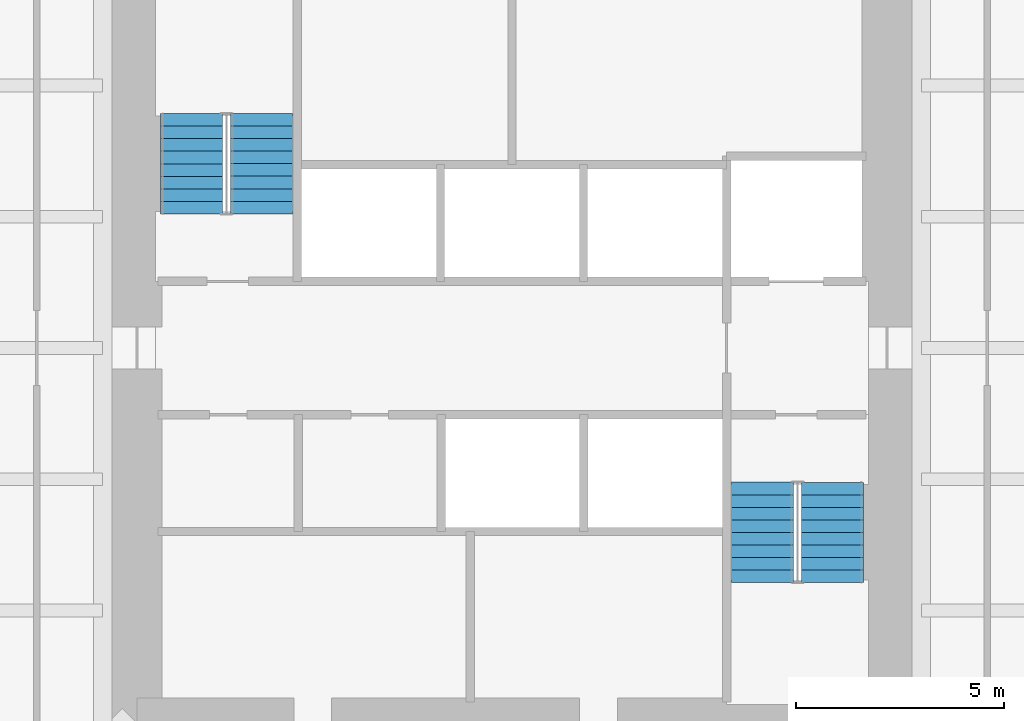
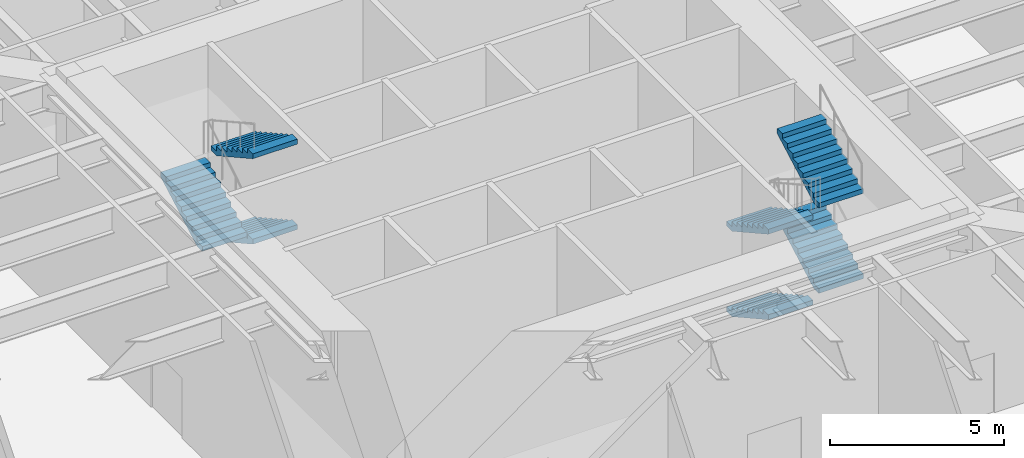
# One storey, part 5 of 6: 7 stair flights, 2 elements without a shape of their own.
"""IFC4 building model written with IfcOpenShell, lengths in metres."""

from ifc_helpers import new_model, si_unit, direction, frame, origin, place, context, subcontext, project, spatial, polyline, outline, extrude, material, constituent, constituent_set, type_object, element, aggregate, save


model = new_model("IFC4")

# Units and contexts
model_context = context("Model", 3, precision=1e-05, world=origin(), true_north=direction((0.0, 1.0)))
body_context = subcontext(model_context, "Body", "Model", "MODEL_VIEW")
ifc_project = project(units=[si_unit("LENGTHUNIT", "METRE"), si_unit("AREAUNIT", "SQUARE_METRE"), si_unit("VOLUMEUNIT", "CUBIC_METRE"), si_unit("PLANEANGLEUNIT", "RADIAN"), si_unit("MASSUNIT", "GRAM", prefix="KILO")], contexts=[model_context])

# Site, building, storey
site_placement = place(None, origin())
site = spatial("IfcSite", under=ifc_project, at=site_placement, CompositionType="ELEMENT")
building_placement = place(site_placement, origin())
building = spatial("IfcBuilding", under=site, at=building_placement, Name="Iwan Alto Co-Living Towers", CompositionType="ELEMENT")
storey_placement = place(building_placement, frame((0.0, 0.0, 143.5)))
storey = spatial("IfcBuildingStorey", under=building, at=storey_placement, Name="L39", CompositionType="ELEMENT", Elevation=143.5)

# Stair, stair flights
ifc_material_1 = material(Name="Steel ASTM A36", Category="steel")
ifc_constituent_1 = constituent(ifc_material_1, Name="Stringers", Category="LoadBearing")
ifc_material_2 = material(Name="Concrete f'c 30 MPa", Category="concrete")
ifc_constituent_2 = constituent(ifc_material_2, Name="Tread fill", Category="Finish")
ifc_constituent_set_1 = constituent_set(constituents=[ifc_constituent_1, ifc_constituent_2], Name="STAIR 6000 FOUR-FLIGHT T1 CORE")
stair_type = type_object("IfcStairType", Name="STAIR 6000 FOUR-FLIGHT T1 CORE", PredefinedType="HALF_TURN_STAIR", material=ifc_constituent_set_1)
stair_1_placement = place(storey_placement, origin())
stair_1 = element("IfcStair", 1, at=stair_1_placement, inside=storey, type_object=stair_type, Name="Stair T1-S1 L39 to L40", PredefinedType="HALF_TURN_STAIR")
ifc_constituent_3 = constituent(ifc_material_1, Name="Stringers", Category="LoadBearing")
ifc_constituent_4 = constituent(ifc_material_2, Name="Tread fill", Category="Finish")
ifc_constituent_set_2 = constituent_set(constituents=[ifc_constituent_3, ifc_constituent_4], Name="STAIR FLIGHT 9 RISERS 300 GOING")
stair_flight_type = type_object("IfcStairFlightType", Name="STAIR FLIGHT 9 RISERS 300 GOING", PredefinedType="STRAIGHT", material=ifc_constituent_set_2)
stair_flight_1_placement = place(storey_placement, frame((-6.010009765625, 5.6201171875, 1.5), z_axis=(0.0, 0.0, 1.0), x_axis=(0.0, -1.0, 0.0)))
stair_flight_1 = element("IfcStairFlight", 2, at=stair_flight_1_placement, type_object=stair_flight_type, Name="T1-S1 flight 2", NumberOfRisers=9, NumberOfTreads=8, PredefinedType="STRAIGHT", RiserHeight=0.166667, TreadLength=0.3, context=body_context, shape_type="SweptSolid", body=[
    extrude(outline(polyline([(0.0, 0.0), (0.0, 0.166748046875), (0.300048828125, 0.166748046875), (0.300048828125, 0.333251953125), (0.60009765625, 0.333251953125), (0.60009765625, 0.5), (0.89990234375, 0.5), (0.89990234375, 0.666748046875), (1.199951171875, 0.666748046875), (1.199951171875, 0.833251953125), (1.5, 0.833251953125), (1.5, 1.0), (1.800048828125, 1.0), (1.800048828125, 1.166748046875), (2.10009765625, 1.166748046875), (2.10009765625, 1.333251953125), (2.39990234375, 1.333251953125), (2.39990234375, 1.5), (2.39990234375, 1.161865234375), (0.30859375, 0.0), (0.0, 0.0)])), frame((0.0, 0.739990234375, 0.0), z_axis=(0.0, -1.0, 0.0), x_axis=(1.0, 0.0, 0.0)), (0.0, 0.0, 1.0), 1.47998046875),
])
stair_flight_2_placement = place(storey_placement, frame((-7.68994140625, 3.219970703125, 3.0), z_axis=(0.0, 0.0, 1.0), x_axis=(0.0, 1.0, 0.0)))
stair_flight_2 = element("IfcStairFlight", 3, at=stair_flight_2_placement, type_object=stair_flight_type, Name="T1-S1 flight 3", NumberOfRisers=9, NumberOfTreads=8, PredefinedType="STRAIGHT", RiserHeight=0.166667, TreadLength=0.3, context=body_context, shape_type="SweptSolid", body=[
    extrude(outline(polyline([(0.0, 0.0), (0.0, 0.166748046875), (0.300048828125, 0.166748046875), (0.300048828125, 0.333251953125), (0.60009765625, 0.333251953125), (0.60009765625, 0.5), (0.89990234375, 0.5), (0.89990234375, 0.666748046875), (1.199951171875, 0.666748046875), (1.199951171875, 0.833251953125), (1.5, 0.833251953125), (1.5, 1.0), (1.800048828125, 1.0), (1.800048828125, 1.166748046875), (2.10009765625, 1.166748046875), (2.10009765625, 1.333251953125), (2.39990234375, 1.333251953125), (2.39990234375, 1.5), (2.39990234375, 1.161865234375), (0.30859375, 0.0), (0.0, 0.0)])), frame((0.0, 0.739990234375, 0.0), z_axis=(0.0, -1.0, 0.0), x_axis=(1.0, 0.0, 0.0)), (0.0, 0.0, 1.0), 1.47998046875),
])
stair_flight_3_placement = place(storey_placement, frame((-6.010009765625, 5.6201171875, 4.5), z_axis=(0.0, 0.0, 1.0), x_axis=(0.0, -1.0, 0.0)))
stair_flight_3 = element("IfcStairFlight", 4, at=stair_flight_3_placement, type_object=stair_flight_type, Name="T1-S1 flight 4", NumberOfRisers=9, NumberOfTreads=8, PredefinedType="STRAIGHT", RiserHeight=0.166667, TreadLength=0.3, context=body_context, shape_type="SweptSolid", body=[
    extrude(outline(polyline([(0.0, 0.0), (0.0, 0.166748046875), (0.300048828125, 0.166748046875), (0.300048828125, 0.333251953125), (0.60009765625, 0.333251953125), (0.60009765625, 0.5), (0.89990234375, 0.5), (0.89990234375, 0.666748046875), (1.199951171875, 0.666748046875), (1.199951171875, 0.833251953125), (1.5, 0.833251953125), (1.5, 1.0), (1.800048828125, 1.0), (1.800048828125, 1.166748046875), (2.10009765625, 1.166748046875), (2.10009765625, 1.333251953125), (2.39990234375, 1.333251953125), (2.39990234375, 1.5), (2.39990234375, 1.161865234375), (0.30859375, 0.0), (0.0, 0.0)])), frame((0.0, 0.739990234375, 0.0), z_axis=(0.0, -1.0, 0.0), x_axis=(1.0, 0.0, 0.0)), (0.0, 0.0, 1.0), 1.47998046875),
])
aggregate(stair_1, [stair_flight_1, stair_flight_2, stair_flight_3])

stair_2_placement = place(storey_placement, origin())
stair_2 = element("IfcStair", 5, at=stair_2_placement, inside=storey, type_object=stair_type, Name="Stair T1-S2 L39 to L40", PredefinedType="HALF_TURN_STAIR")
stair_flight_4_placement = place(storey_placement, frame((6.010009765625, -3.219970703125, 0.0), z_axis=(0.0, 0.0, 1.0), x_axis=(0.0, -1.0, 0.0)))
stair_flight_4 = element("IfcStairFlight", 6, at=stair_flight_4_placement, type_object=stair_flight_type, Name="T1-S2 flight 1", NumberOfRisers=9, NumberOfTreads=8, PredefinedType="STRAIGHT", RiserHeight=0.166667, TreadLength=0.3, context=body_context, shape_type="SweptSolid", body=[
    extrude(outline(polyline([(0.0, 0.0), (0.0, 0.166748046875), (0.300048828125, 0.166748046875), (0.300048828125, 0.333251953125), (0.60009765625, 0.333251953125), (0.60009765625, 0.5), (0.89990234375, 0.5), (0.89990234375, 0.666748046875), (1.199951171875, 0.666748046875), (1.199951171875, 0.833251953125), (1.5, 0.833251953125), (1.5, 1.0), (1.800048828125, 1.0), (1.800048828125, 1.166748046875), (2.10009765625, 1.166748046875), (2.10009765625, 1.333251953125), (2.39990234375, 1.333251953125), (2.39990234375, 1.5), (2.39990234375, 1.161865234375), (0.30859375, 0.0), (0.0, 0.0)])), frame((0.0, 0.739990234375, 0.0), z_axis=(0.0, -1.0, 0.0), x_axis=(1.0, 0.0, 0.0)), (0.0, 0.0, 1.0), 1.47998046875),
])
stair_flight_5_placement = place(storey_placement, frame((7.68994140625, -5.6201171875, 1.5), z_axis=(0.0, 0.0, 1.0), x_axis=(0.0, 1.0, 0.0)))
stair_flight_5 = element("IfcStairFlight", 7, at=stair_flight_5_placement, type_object=stair_flight_type, Name="T1-S2 flight 2", NumberOfRisers=9, NumberOfTreads=8, PredefinedType="STRAIGHT", RiserHeight=0.166667, TreadLength=0.3, context=body_context, shape_type="SweptSolid", body=[
    extrude(outline(polyline([(0.0, 0.0), (0.0, 0.166748046875), (0.300048828125, 0.166748046875), (0.300048828125, 0.333251953125), (0.60009765625, 0.333251953125), (0.60009765625, 0.5), (0.89990234375, 0.5), (0.89990234375, 0.666748046875), (1.199951171875, 0.666748046875), (1.199951171875, 0.833251953125), (1.5, 0.833251953125), (1.5, 1.0), (1.800048828125, 1.0), (1.800048828125, 1.166748046875), (2.10009765625, 1.166748046875), (2.10009765625, 1.333251953125), (2.39990234375, 1.333251953125), (2.39990234375, 1.5), (2.39990234375, 1.161865234375), (0.30859375, 0.0), (0.0, 0.0)])), frame((0.0, 0.739990234375, 0.0), z_axis=(0.0, -1.0, 0.0), x_axis=(1.0, 0.0, 0.0)), (0.0, 0.0, 1.0), 1.47998046875),
])
stair_flight_6_placement = place(storey_placement, frame((6.010009765625, -3.219970703125, 3.0), z_axis=(0.0, 0.0, 1.0), x_axis=(0.0, -1.0, 0.0)))
stair_flight_6 = element("IfcStairFlight", 8, at=stair_flight_6_placement, type_object=stair_flight_type, Name="T1-S2 flight 3", NumberOfRisers=9, NumberOfTreads=8, PredefinedType="STRAIGHT", RiserHeight=0.166667, TreadLength=0.3, context=body_context, shape_type="SweptSolid", body=[
    extrude(outline(polyline([(0.0, 0.0), (0.0, 0.166748046875), (0.300048828125, 0.166748046875), (0.300048828125, 0.333251953125), (0.60009765625, 0.333251953125), (0.60009765625, 0.5), (0.89990234375, 0.5), (0.89990234375, 0.666748046875), (1.199951171875, 0.666748046875), (1.199951171875, 0.833251953125), (1.5, 0.833251953125), (1.5, 1.0), (1.800048828125, 1.0), (1.800048828125, 1.166748046875), (2.10009765625, 1.166748046875), (2.10009765625, 1.333251953125), (2.39990234375, 1.333251953125), (2.39990234375, 1.5), (2.39990234375, 1.161865234375), (0.30859375, 0.0), (0.0, 0.0)])), frame((0.0, 0.739990234375, 0.0), z_axis=(0.0, -1.0, 0.0), x_axis=(1.0, 0.0, 0.0)), (0.0, 0.0, 1.0), 1.47998046875),
])
stair_flight_7_placement = place(storey_placement, frame((7.68994140625, -5.6201171875, 4.5), z_axis=(0.0, 0.0, 1.0), x_axis=(0.0, 1.0, 0.0)))
stair_flight_7 = element("IfcStairFlight", 9, at=stair_flight_7_placement, type_object=stair_flight_type, Name="T1-S2 flight 4", NumberOfRisers=9, NumberOfTreads=8, PredefinedType="STRAIGHT", RiserHeight=0.166667, TreadLength=0.3, context=body_context, shape_type="SweptSolid", body=[
    extrude(outline(polyline([(0.0, 0.0), (0.0, 0.166748046875), (0.300048828125, 0.166748046875), (0.300048828125, 0.333251953125), (0.60009765625, 0.333251953125), (0.60009765625, 0.5), (0.89990234375, 0.5), (0.89990234375, 0.666748046875), (1.199951171875, 0.666748046875), (1.199951171875, 0.833251953125), (1.5, 0.833251953125), (1.5, 1.0), (1.800048828125, 1.0), (1.800048828125, 1.166748046875), (2.10009765625, 1.166748046875), (2.10009765625, 1.333251953125), (2.39990234375, 1.333251953125), (2.39990234375, 1.5), (2.39990234375, 1.161865234375), (0.30859375, 0.0), (0.0, 0.0)])), frame((0.0, 0.739990234375, 0.0), z_axis=(0.0, -1.0, 0.0), x_axis=(1.0, 0.0, 0.0)), (0.0, 0.0, 1.0), 1.47998046875),
])
aggregate(stair_2, [stair_flight_4, stair_flight_5, stair_flight_6, stair_flight_7])

save(model, "model.ifc")
